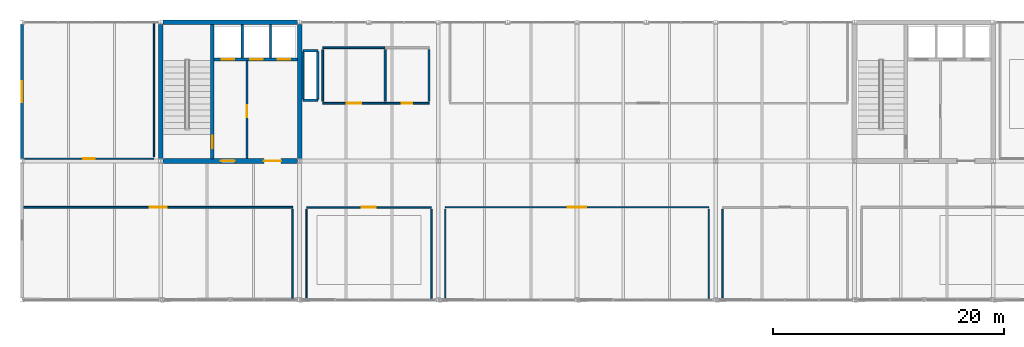
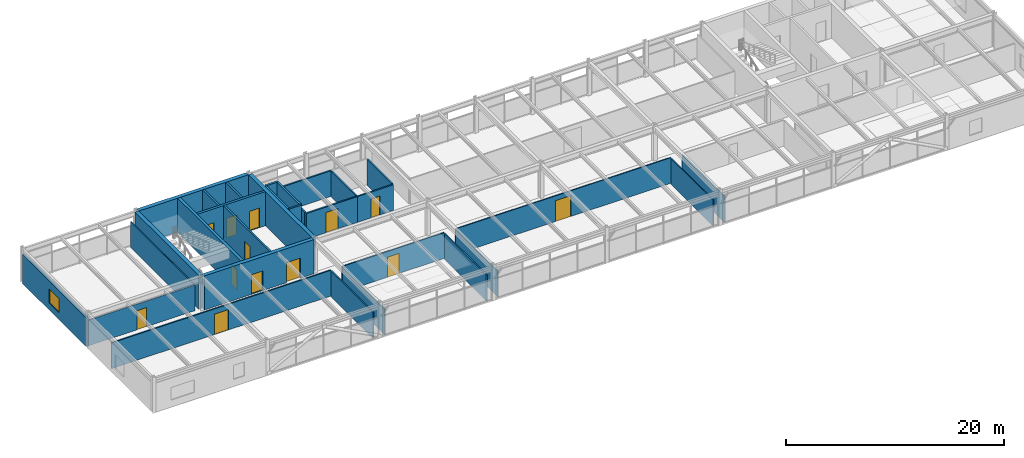
# One storey, part 36 of 40: 31 walls, 13 doors, 1 window, 14 openings.
"""IFC4 building model written with IfcOpenShell, lengths in metres."""

from ifc_helpers import new_model, si_unit, direction, frame, frame_2d, origin, place, context, subcontext, project, spatial, rectangle, extrude, material, layer, layer_set, type_object, element, fill, save


model = new_model("IFC4")

# Units and contexts
model_context = context("Model", 3, precision=1e-05, world=origin(), true_north=direction((0.0, 1.0)))
body_context = subcontext(model_context, "Body", "Model", "MODEL_VIEW")
ifc_project = project(units=[si_unit("LENGTHUNIT", "METRE"), si_unit("AREAUNIT", "SQUARE_METRE"), si_unit("VOLUMEUNIT", "CUBIC_METRE"), si_unit("PLANEANGLEUNIT", "RADIAN"), si_unit("MASSUNIT", "GRAM", prefix="KILO")], contexts=[model_context])

# Site, building, storey
site_placement = place(None, origin())
site = spatial("IfcSite", under=ifc_project, at=site_placement, CompositionType="ELEMENT")
building_placement = place(site_placement, origin())
building = spatial("IfcBuilding", under=site, at=building_placement, Name="Girod Span Mobility Hub", CompositionType="ELEMENT")
storey_placement = place(building_placement, frame((0.0, 0.0, 53.60009765625)))
storey = spatial("IfcBuildingStorey", under=building, at=storey_placement, Name="L13", CompositionType="ELEMENT", Elevation=53.60009765625)

# Wall, openings, doors
ifc_material_1 = material(Name="Concrete C40/50", Category="concrete")
ifc_layer_1 = layer(ifc_material_1, 0.39990234375)
ifc_layer_set_1 = layer_set([ifc_layer_1], Name="Concrete C40/50")
wall_type_1 = type_object("IfcWallType", Name="W-CW-400", PredefinedType="SHEAR", material=ifc_layer_set_1)
wall_1_placement = place(storey_placement, frame((48.194091796875, 57.0, 0.0), z_axis=(0.0, 0.0, 1.0), x_axis=(1.0, 0.0, 0.0)))
wall_1 = element("IfcWall", 1, at=wall_1_placement, inside=storey, type_object=wall_type_1, Name="Core C1 Shear Wall S L13", PredefinedType="SHEAR", context=body_context, shape_type="SweptSolid", body=[
    extrude(rectangle(XDim=11.61181640625, YDim=0.39990234375, at=frame_2d((5.805908203125, 0.0))), origin(), (0.0, 0.0, 1.0), 3.81787109375),
])
opening_1_placement = place(wall_1_placement, frame((5.006103515625, 0.0, 0.0)))
opening_1 = element("IfcOpeningElement", 2, at=opening_1_placement, cuts=wall_1, Name="Opening D-FL-C1-L13", PredefinedType="OPENING", context=body_context, shape_type="SweptSolid", body=[
    extrude(rectangle(XDim=1.199951171875, YDim=2.199951171875, at=frame_2d((0.60009765625, 1.10009765625))), frame((0.0, 0.21484375, 0.0), z_axis=(0.0, -1.0, 0.0), x_axis=(1.0, 0.0, 0.0)), (0.0, 0.0, 1.0), 0.429931640625),
])
opening_2_placement = place(wall_1_placement, frame((8.7060546875, 0.0, 0.0)))
opening_2 = element("IfcOpeningElement", 3, at=opening_2_placement, cuts=wall_1, Name="Opening D-LB-C1-L13", PredefinedType="OPENING", context=body_context, shape_type="SweptSolid", body=[
    extrude(rectangle(XDim=1.5, YDim=2.25, at=frame_2d((0.75, 1.125))), frame((0.0, 0.21484375, 0.0), z_axis=(0.0, -1.0, 0.0), x_axis=(1.0, 0.0, 0.0)), (0.0, 0.0, 1.0), 0.429931640625),
])
ifc_material_2 = material(Name="Fire-Rated Insulated Hollow Metal Steel", Category="steel")
door_type_1 = type_object("IfcDoorType", Name="DT-FD-03", OperationType="DOUBLE_DOOR_SINGLE_SWING", PredefinedType="DOOR", material=ifc_material_2)
door_1_placement = place(opening_2_placement, origin())
door_1 = element("IfcDoor", 4, at=door_1_placement, inside=storey, type_object=door_type_1, Name="Lift Lobby Entry Door C1 L13", OperationType="DOUBLE_DOOR_SINGLE_SWING", OverallHeight=2.25, OverallWidth=1.5, PredefinedType="DOOR", context=body_context, shape_type="SweptSolid", body=[
    extrude(rectangle(XDim=1.5, YDim=2.25, at=frame_2d((0.75, 1.125))), frame((0.0, 0.02490234375, 0.0), z_axis=(0.0, -1.0, 0.0), x_axis=(1.0, 0.0, 0.0)), (0.0, 0.0, 1.0), 0.050048828125),
])
fill(opening_2, door_1)
ifc_material_3 = material(Name="Fire-Rated Insulated Hollow Metal Steel", Category="steel")
door_type_2 = type_object("IfcDoorType", Name="DT-FD-05", OperationType="NOTDEFINED", PredefinedType="DOOR", material=ifc_material_3)
door_2_placement = place(opening_1_placement, origin())
door_2 = element("IfcDoor", 5, at=door_2_placement, inside=storey, type_object=door_type_2, Name="Firefighting Lobby Entry Door C1 L13", OperationType="SINGLE_SWING_RIGHT", OverallHeight=2.199951171875, OverallWidth=1.199951171875, PredefinedType="DOOR", context=body_context, shape_type="SweptSolid", body=[
    extrude(rectangle(XDim=1.199951171875, YDim=2.199951171875, at=frame_2d((0.60009765625, 1.10009765625))), frame((0.0, 0.02490234375, 0.0), z_axis=(0.0, -1.0, 0.0), x_axis=(1.0, 0.0, 0.0)), (0.0, 0.0, 1.0), 0.050048828125),
])
fill(opening_1, door_2)

# Walls
wall_2_placement = place(storey_placement, frame((48.181396484375, 69.0, 0.0), z_axis=(0.0, 0.0, 1.0), x_axis=(1.0, 0.0, 0.0)))
element("IfcWall", 6, at=wall_2_placement, inside=storey, type_object=wall_type_1, Name="Core C1 Shear Wall N L13", PredefinedType="SHEAR", context=body_context, shape_type="SweptSolid", body=[
    extrude(rectangle(XDim=11.63720703125, YDim=0.39990234375, at=frame_2d((5.818603515625, 0.0))), origin(), (0.0, 0.0, 1.0), 3.81787109375),
])
for number, where, z_axis, x_axis, name in (
    (7, (48.0, 57.1845703125, 0.0), (0.0, 0.0, 1.0), (0.0, 1.0, 0.0), "Core C1 Shear Wall W L13"),
    (8, (60.0, 57.1845703125, 0.0), (0.0, 0.0, 1.0), (0.0, 1.0, 0.0), "Core C1 Shear Wall E L13"),
):
    element("IfcWall", number, at=place(storey_placement, frame(where, z_axis=z_axis, x_axis=x_axis)), inside=storey, type_object=wall_type_1, Name=name, PredefinedType="SHEAR", context=body_context, shape_type="SweptSolid", body=[
        extrude(rectangle(XDim=11.640380859375, YDim=0.39990234375, at=frame_2d((5.8203125, 0.0))), origin(), (0.0, 0.0, 1.0), 3.81787109375),
    ])

# Wall, opening, window
ifc_material_4 = material(Name="Precast Architectural Concrete C40/50", Category="concrete")
ifc_layer_2 = layer(ifc_material_4, 0.27001953125)
ifc_layer_set_2 = layer_set([ifc_layer_2], Name="Precast Architectural Concrete C40/50")
wall_type_2 = type_object("IfcWallType", Name="W-EXT-270", PredefinedType="SOLIDWALL", material=ifc_layer_set_2)
wall_3_placement = place(storey_placement, frame((36.0, 57.176025390625, 0.0), z_axis=(0.0, 0.0, 1.0), x_axis=(0.0, 1.0, 0.0)))
wall_3 = element("IfcWall", 9, at=wall_3_placement, inside=storey, type_object=wall_type_2, Name="End Facade Insulated Wall W-E L13", PredefinedType="SOLIDWALL", context=body_context, shape_type="SweptSolid", body=[
    extrude(rectangle(XDim=11.64794921875, YDim=0.27001953125, at=frame_2d((5.823974609375, 0.0))), origin(), (0.0, 0.0, 1.0), 3.27099609375),
])
opening_3_placement = place(wall_3_placement, frame((4.9140625, 0.0, 0.780029296875)))
opening_3 = element("IfcOpeningElement", 10, at=opening_3_placement, cuts=wall_3, Name="Opening W-L13-W4", PredefinedType="OPENING", context=body_context, shape_type="SweptSolid", body=[
    extrude(rectangle(XDim=1.820068359375, YDim=1.580078125, at=frame_2d((0.91015625, 0.7900390625))), frame((0.0, 0.14990234375, 0.0), z_axis=(0.0, -1.0, 0.0), x_axis=(1.0, 0.0, 0.0)), (0.0, 0.0, 1.0), 0.300048828125),
])
ifc_material_5 = material(Name="Double Low-E Insulated Glazing", Category="glass")
window_type = type_object("IfcWindowType", Name="WN-25", PartitioningType="DOUBLE_PANEL_VERTICAL", PredefinedType="WINDOW", material=ifc_material_5)
window_placement = place(opening_3_placement, origin())
window = element("IfcWindow", 11, at=window_placement, inside=storey, type_object=window_type, Name="End Office Window WN-25", OverallHeight=1.580078125, OverallWidth=1.820068359375, PartitioningType="DOUBLE_PANEL_VERTICAL", PredefinedType="WINDOW", context=body_context, shape_type="SweptSolid", body=[
    extrude(rectangle(XDim=1.820068359375, YDim=1.580078125, at=frame_2d((0.91015625, 0.7900390625))), frame((0.0, 0.030029296875, 0.0), z_axis=(0.0, -1.0, 0.0), x_axis=(1.0, 0.0, 0.0)), (0.0, 0.0, 1.0), 0.06005859375),
])
fill(opening_3, window)

# Wall, opening, door
ifc_material_6 = material(Name="Concrete C40/50", Category="concrete")
ifc_layer_3 = layer(ifc_material_6, 0.18994140625)
ifc_layer_set_3 = layer_set([ifc_layer_3], Name="Concrete C40/50")
wall_type_3 = type_object("IfcWallType", Name="W-FL-190", PredefinedType="SOLIDWALL", material=ifc_layer_set_3)
wall_4_placement = place(storey_placement, frame((55.449951171875, 57.199951171875, 0.0), z_axis=(0.0, 0.0, 1.0), x_axis=(0.0, 1.0, 0.0)))
wall_4 = element("IfcWall", 12, at=wall_4_placement, inside=storey, type_object=wall_type_3, Name="Core C1 Firefighting Lobby Wall L13", PredefinedType="SOLIDWALL", context=body_context, shape_type="SweptSolid", body=[
    extrude(rectangle(XDim=8.47998046875, YDim=0.18994140625, at=frame_2d((4.239990234375, 0.0))), origin(), (0.0, 0.0, 1.0), 3.807861328125),
])
opening_4_placement = place(wall_4_placement, frame((3.60009765625, 0.0, 0.0)))
opening_4 = element("IfcOpeningElement", 13, at=opening_4_placement, cuts=wall_4, Name="Opening D-FLX-C1-L13", PredefinedType="OPENING", context=body_context, shape_type="SweptSolid", body=[
    extrude(rectangle(XDim=1.0400390625, YDim=2.179931640625, at=frame_2d((0.52001953125, 1.08984375))), frame((0.0, 0.10986328125, 0.0), z_axis=(0.0, -1.0, 0.0), x_axis=(1.0, 0.0, 0.0)), (0.0, 0.0, 1.0), 0.219970703125),
])
ifc_material_7 = material(Name="Fire-Rated Insulated Hollow Metal Steel", Category="steel")
door_type_3 = type_object("IfcDoorType", Name="DT-FD-02", OperationType="NOTDEFINED", PredefinedType="DOOR", material=ifc_material_7)
door_3_placement = place(opening_4_placement, origin())
door_3 = element("IfcDoor", 14, at=door_3_placement, inside=storey, type_object=door_type_3, Name="Firefighting Lobby Interconnect Door C1 L13", OperationType="SINGLE_SWING_RIGHT", OverallHeight=2.179931640625, OverallWidth=1.0400390625, PredefinedType="DOOR", context=body_context, shape_type="SweptSolid", body=[
    extrude(rectangle(XDim=1.0400390625, YDim=2.179931640625, at=frame_2d((0.52001953125, 1.08984375))), frame((0.0, 0.02490234375, 0.0), z_axis=(0.0, -1.0, 0.0), x_axis=(1.0, 0.0, 0.0)), (0.0, 0.0, 1.0), 0.050048828125),
])
fill(opening_4, door_3)

ifc_material_8 = material(Name="Gypsum Acoustic Operable Panel on Galvanised Steel Framing", Category="steel")
ifc_layer_4 = layer(ifc_material_8, 0.10791015625)
ifc_layer_set_4 = layer_set([ifc_layer_4], Name="Gypsum Acoustic Operable Panel on Galvanised Steel Framing")
wall_type_4 = type_object("IfcWallType", Name="W-MOV-108", PredefinedType="MOVABLE", material=ifc_layer_set_4)
wall_5_placement = place(storey_placement, frame((72.60009765625, 53.0, 0.0), z_axis=(0.0, 0.0, 1.0), x_axis=(1.0, 0.0, 0.0)))
wall_5 = element("IfcWall", 15, at=wall_5_placement, inside=storey, type_object=wall_type_4, Name="Boardroom Central L13 Partition N", PredefinedType="MOVABLE", context=body_context, shape_type="SweptSolid", body=[
    extrude(rectangle(XDim=22.7998046875, YDim=0.10791015625, at=frame_2d((11.39990234375, 0.0))), origin(), (0.0, 0.0, 1.0), 2.8798828125),
])
opening_5_placement = place(wall_5_placement, frame((10.594970703125, 0.0, 0.0)))
opening_5 = element("IfcOpeningElement", 16, at=opening_5_placement, cuts=wall_5, Name="Opening D-L13-BRD-MC", PredefinedType="OPENING", context=body_context, shape_type="SweptSolid", body=[
    extrude(rectangle(XDim=1.610107421875, YDim=2.330078125, at=frame_2d((0.80517578125, 1.1650390625))), frame((0.0, 0.06884765625, 0.0), z_axis=(0.0, -1.0, 0.0), x_axis=(1.0, 0.0, 0.0)), (0.0, 0.0, 1.0), 0.137939453125),
])
ifc_material_9 = material(Name="Solid-Core Architectural Timber", Category="wood")
door_type_4 = type_object("IfcDoorType", Name="DT-NR-15", OperationType="DOUBLE_DOOR_SINGLE_SWING", PredefinedType="DOOR", material=ifc_material_9)
door_4_placement = place(opening_5_placement, origin())
door_4 = element("IfcDoor", 17, at=door_4_placement, inside=storey, type_object=door_type_4, Name="Boardroom Central L13 Door", OperationType="DOUBLE_DOOR_SINGLE_SWING", OverallHeight=2.330078125, OverallWidth=1.610107421875, PredefinedType="DOOR", context=body_context, shape_type="SweptSolid", body=[
    extrude(rectangle(XDim=1.610107421875, YDim=2.330078125, at=frame_2d((0.80517578125, 1.1650390625))), frame((0.0, 0.02490234375, 0.0), z_axis=(0.0, -1.0, 0.0), x_axis=(1.0, 0.0, 0.0)), (0.0, 0.0, 1.0), 0.050048828125),
])
fill(opening_5, door_4)

# Walls
for number, where, z_axis, x_axis, name in (
    (18, (72.60009765625, 45.139892578125, 0.0), (0.0, 0.0, 1.0), (0.0, 1.0, 0.0), "Boardroom Central L13 Partition W"),
    (19, (95.39990234375, 45.139892578125, 0.0), (0.0, 0.0, 1.0), (0.0, 1.0, 0.0), "Boardroom Central L13 Partition E"),
):
    element("IfcWall", number, at=place(storey_placement, frame(where, z_axis=z_axis, x_axis=x_axis)), inside=storey, type_object=wall_type_4, Name=name, PredefinedType="MOVABLE", context=body_context, shape_type="SweptSolid", body=[
        extrude(rectangle(XDim=7.7001953125, YDim=0.10791015625, at=frame_2d((3.85009765625, 0.0))), origin(), (0.0, 0.0, 1.0), 2.8798828125),
    ])

# Wall, opening, door
ifc_material_10 = material(Name="Fire-Rated Gypsum Board on Metal Studs", Category="gypsum")
ifc_layer_5 = layer(ifc_material_10, 0.155029296875)
ifc_layer_set_5 = layer_set([ifc_layer_5], Name="Fire-Rated Gypsum Board on Metal Studs")
wall_type_5 = type_object("IfcWallType", Name="W-PLB-155", PredefinedType="PLUMBINGWALL", material=ifc_layer_set_5)
wall_6_placement = place(storey_placement, frame((62.0, 62.0, 0.0), z_axis=(0.0, 0.0, 1.0), x_axis=(1.0, 0.0, 0.0)))
wall_6 = element("IfcWall", 20, at=wall_6_placement, inside=storey, type_object=wall_type_5, Name="Restroom L13 Partition S", PredefinedType="PLUMBINGWALL", context=body_context, shape_type="SweptSolid", body=[
    extrude(rectangle(XDim=5.39990234375, YDim=0.155029296875, at=frame_2d((2.699951171875, 0.0))), origin(), (0.0, 0.0, 1.0), 2.8798828125),
])
opening_6_placement = place(wall_6_placement, frame((2.06494140625, 0.0, 0.0)))
opening_6 = element("IfcOpeningElement", 21, at=opening_6_placement, cuts=wall_6, Name="Opening D-L13-WC-MAIN", PredefinedType="OPENING", context=body_context, shape_type="SweptSolid", body=[
    extrude(rectangle(XDim=1.27001953125, YDim=2.27001953125, at=frame_2d((0.635009765625, 1.135009765625))), frame((0.0, 0.092529296875, 0.0), z_axis=(0.0, -1.0, 0.0), x_axis=(1.0, 0.0, 0.0)), (0.0, 0.0, 1.0), 0.18505859375),
])
ifc_material_11 = material(Name="Solid-Core Architectural Timber", Category="wood")
door_type_5 = type_object("IfcDoorType", Name="DT-NR-09", OperationType="NOTDEFINED", PredefinedType="DOOR", material=ifc_material_11)
door_5_placement = place(opening_6_placement, origin())
door_5 = element("IfcDoor", 22, at=door_5_placement, inside=storey, type_object=door_type_5, Name="Restroom L13 Door", OperationType="SINGLE_SWING_LEFT", OverallHeight=2.27001953125, OverallWidth=1.27001953125, PredefinedType="DOOR", context=body_context, shape_type="SweptSolid", body=[
    extrude(rectangle(XDim=1.27001953125, YDim=2.27001953125, at=frame_2d((0.635009765625, 1.135009765625))), frame((0.0, 0.02490234375, 0.0), z_axis=(0.0, -1.0, 0.0), x_axis=(1.0, 0.0, 0.0)), (0.0, 0.0, 1.0), 0.050048828125),
])
fill(opening_6, door_5)

# Walls
wall_7_placement = place(storey_placement, frame((62.0, 66.800048828125, 0.0), z_axis=(0.0, 0.0, 1.0), x_axis=(1.0, 0.0, 0.0)))
element("IfcWall", 23, at=wall_7_placement, inside=storey, type_object=wall_type_5, Name="Restroom L13 Partition N", PredefinedType="PLUMBINGWALL", context=body_context, shape_type="SweptSolid", body=[
    extrude(rectangle(XDim=5.39990234375, YDim=0.155029296875, at=frame_2d((2.699951171875, 0.0))), origin(), (0.0, 0.0, 1.0), 2.8798828125),
])
for number, where, z_axis, x_axis, name in (
    (24, (62.0, 62.159912109375, 0.0), (0.0, 0.0, 1.0), (0.0, 1.0, 0.0), "Restroom L13 Partition W"),
    (25, (67.39990234375, 62.159912109375, 0.0), (0.0, 0.0, 1.0), (0.0, 1.0, 0.0), "Restroom L13 Partition E"),
):
    element("IfcWall", number, at=place(storey_placement, frame(where, z_axis=z_axis, x_axis=x_axis)), inside=storey, type_object=wall_type_5, Name=name, PredefinedType="PLUMBINGWALL", context=body_context, shape_type="SweptSolid", body=[
        extrude(rectangle(XDim=4.47998046875, YDim=0.155029296875, at=frame_2d((2.239990234375, 0.0))), origin(), (0.0, 0.0, 1.0), 2.8798828125),
    ])

# Wall, opening, door
wall_8_placement = place(storey_placement, frame((67.39990234375, 62.0, 0.0), z_axis=(0.0, 0.0, 1.0), x_axis=(1.0, 0.0, 0.0)))
wall_8 = element("IfcWall", 26, at=wall_8_placement, inside=storey, type_object=wall_type_5, Name="Accessible WC L13 Partition S", PredefinedType="PLUMBINGWALL", context=body_context, shape_type="SweptSolid", body=[
    extrude(rectangle(XDim=3.800048828125, YDim=0.155029296875, at=frame_2d((1.89990234375, 0.0))), origin(), (0.0, 0.0, 1.0), 2.8798828125),
])
opening_7_placement = place(wall_8_placement, frame((1.43994140625, 0.0, 0.0)))
opening_7 = element("IfcOpeningElement", 27, at=opening_7_placement, cuts=wall_8, Name="Opening D-L13-WC-ACC", PredefinedType="OPENING", context=body_context, shape_type="SweptSolid", body=[
    extrude(rectangle(XDim=0.919921875, YDim=2.10009765625, at=frame_2d((0.4599609375, 1.050048828125))), frame((0.0, 0.092529296875, 0.0), z_axis=(0.0, -1.0, 0.0), x_axis=(1.0, 0.0, 0.0)), (0.0, 0.0, 1.0), 0.18505859375),
])
ifc_material_12 = material(Name="Solid-Core Architectural Timber", Category="wood")
door_type_6 = type_object("IfcDoorType", Name="DT-NR-01", OperationType="NOTDEFINED", PredefinedType="DOOR", material=ifc_material_12)
door_6_placement = place(opening_7_placement, origin())
door_6 = element("IfcDoor", 28, at=door_6_placement, inside=storey, type_object=door_type_6, Name="Accessible WC L13 Door", OperationType="SINGLE_SWING_LEFT", OverallHeight=2.10009765625, OverallWidth=0.919921875, PredefinedType="DOOR", context=body_context, shape_type="SweptSolid", body=[
    extrude(rectangle(XDim=0.919921875, YDim=2.10009765625, at=frame_2d((0.4599609375, 1.050048828125))), frame((0.0, 0.02490234375, 0.0), z_axis=(0.0, -1.0, 0.0), x_axis=(1.0, 0.0, 0.0)), (0.0, 0.0, 1.0), 0.050048828125),
])
fill(opening_7, door_6)

# Wall
wall_9_placement = place(storey_placement, frame((71.199951171875, 62.159912109375, 0.0), z_axis=(0.0, 0.0, 1.0), x_axis=(0.0, 1.0, 0.0)))
element("IfcWall", 29, at=wall_9_placement, inside=storey, type_object=wall_type_5, Name="Accessible WC L13 Partition E", PredefinedType="PLUMBINGWALL", context=body_context, shape_type="SweptSolid", body=[
    extrude(rectangle(XDim=4.47998046875, YDim=0.155029296875, at=frame_2d((2.239990234375, 0.0))), origin(), (0.0, 0.0, 1.0), 2.8798828125),
])

# Wall, opening, door
ifc_material_13 = material(Name="Fire-Rated Gypsum Board on Metal Studs", Category="gypsum")
ifc_layer_6 = layer(ifc_material_13, 0.114990234375)
ifc_layer_set_6 = layer_set([ifc_layer_6], Name="Fire-Rated Gypsum Board on Metal Studs")
wall_type_6 = type_object("IfcWallType", Name="W-PT-115", PredefinedType="PARTITIONING", material=ifc_layer_set_6)
wall_10_placement = place(storey_placement, frame((36.139892578125, 57.199951171875, 0.0), z_axis=(0.0, 0.0, 1.0), x_axis=(1.0, 0.0, 0.0)))
wall_10 = element("IfcWall", 30, at=wall_10_placement, inside=storey, type_object=wall_type_6, Name="Planning Studio North West L13 Partition S", PredefinedType="PARTITIONING", context=body_context, shape_type="SweptSolid", body=[
    extrude(rectangle(XDim=11.260009765625, YDim=0.114990234375, at=frame_2d((5.6298828125, 0.0))), origin(), (0.0, 0.0, 1.0), 2.8798828125),
])
opening_8_placement = place(wall_10_placement, frame((5.135009765625, 0.0, 0.0)))
opening_8 = element("IfcOpeningElement", 31, at=opening_8_placement, cuts=wall_10, Name="Opening D-L13-OFF-MNW", PredefinedType="OPENING", context=body_context, shape_type="SweptSolid", body=[
    extrude(rectangle(XDim=0.989990234375, YDim=2.14990234375, at=frame_2d((0.4951171875, 1.074951171875))), frame((0.0, 0.072509765625, 0.0), z_axis=(0.0, -1.0, 0.0), x_axis=(1.0, 0.0, 0.0)), (0.0, 0.0, 1.0), 0.14501953125),
])
ifc_material_14 = material(Name="Solid-Core Architectural Timber", Category="wood")
door_type_7 = type_object("IfcDoorType", Name="DT-NR-03", OperationType="NOTDEFINED", PredefinedType="DOOR", material=ifc_material_14)
door_7_placement = place(opening_8_placement, origin())
door_7 = element("IfcDoor", 32, at=door_7_placement, inside=storey, type_object=door_type_7, Name="Planning Studio North West L13 Door", OperationType="SINGLE_SWING_LEFT", OverallHeight=2.14990234375, OverallWidth=0.989990234375, PredefinedType="DOOR", context=body_context, shape_type="SweptSolid", body=[
    extrude(rectangle(XDim=0.989990234375, YDim=2.14990234375, at=frame_2d((0.4951171875, 1.074951171875))), frame((0.0, 0.02490234375, 0.0), z_axis=(0.0, -1.0, 0.0), x_axis=(1.0, 0.0, 0.0)), (0.0, 0.0, 1.0), 0.050048828125),
])
fill(opening_8, door_7)

# Wall
wall_11_placement = place(storey_placement, frame((47.39990234375, 57.360107421875, 0.0), z_axis=(0.0, 0.0, 1.0), x_axis=(0.0, 1.0, 0.0)))
element("IfcWall", 33, at=wall_11_placement, inside=storey, type_object=wall_type_6, Name="Planning Studio North West L13 Partition E", PredefinedType="PARTITIONING", context=body_context, shape_type="SweptSolid", body=[
    extrude(rectangle(XDim=11.5, YDim=0.114990234375, at=frame_2d((5.75, 0.0))), origin(), (0.0, 0.0, 1.0), 2.8798828125),
])

# Wall, opening, door
ifc_material_15 = material(Name="Fire-Rated Gypsum Board on Metal Studs", Category="gypsum")
ifc_layer_7 = layer(ifc_material_15, 0.125)
ifc_layer_set_7 = layer_set([ifc_layer_7], Name="Fire-Rated Gypsum Board on Metal Studs")
wall_type_7 = type_object("IfcWallType", Name="W-PT-125", PredefinedType="PARTITIONING", material=ifc_layer_set_7)
wall_12_placement = place(storey_placement, frame((60.60009765625, 53.0, 0.0), z_axis=(0.0, 0.0, 1.0), x_axis=(1.0, 0.0, 0.0)))
wall_12 = element("IfcWall", 34, at=wall_12_placement, inside=storey, type_object=wall_type_7, Name="Office Suite Terrace Portal West L13 Partition N", PredefinedType="PARTITIONING", context=body_context, shape_type="SweptSolid", body=[
    extrude(rectangle(XDim=10.7998046875, YDim=0.125, at=frame_2d((5.39990234375, 0.0))), origin(), (0.0, 0.0, 1.0), 2.8798828125),
])
opening_9_placement = place(wall_12_placement, frame((4.794921875, 0.0, 0.0)))
opening_9 = element("IfcOpeningElement", 35, at=opening_9_placement, cuts=wall_12, Name="Opening D-L13-TERR-LGW", PredefinedType="OPENING", context=body_context, shape_type="SweptSolid", body=[
    extrude(rectangle(XDim=1.2099609375, YDim=2.25, at=frame_2d((0.60498046875, 1.125))), frame((0.0, 0.077392578125, 0.0), z_axis=(0.0, -1.0, 0.0), x_axis=(1.0, 0.0, 0.0)), (0.0, 0.0, 1.0), 0.155029296875),
])
ifc_material_16 = material(Name="Solid-Core Architectural Timber", Category="wood")
door_type_8 = type_object("IfcDoorType", Name="DT-NR-08", OperationType="NOTDEFINED", PredefinedType="DOOR", material=ifc_material_16)
door_8_placement = place(opening_9_placement, origin())
door_8 = element("IfcDoor", 36, at=door_8_placement, inside=storey, type_object=door_type_8, Name="Office Suite Terrace Portal West L13 Door", OperationType="SINGLE_SWING_RIGHT", OverallHeight=2.25, OverallWidth=1.2099609375, PredefinedType="DOOR", context=body_context, shape_type="SweptSolid", body=[
    extrude(rectangle(XDim=1.2099609375, YDim=2.25, at=frame_2d((0.60498046875, 1.125))), frame((0.0, 0.02490234375, 0.0), z_axis=(0.0, -1.0, 0.0), x_axis=(1.0, 0.0, 0.0)), (0.0, 0.0, 1.0), 0.050048828125),
])
fill(opening_9, door_8)

# Walls
for number, where, z_axis, x_axis, name in (
    (37, (60.60009765625, 45.139892578125, 0.0), (0.0, 0.0, 1.0), (0.0, 1.0, 0.0), "Office Suite Terrace Portal West L13 Partition W"),
    (38, (71.39990234375, 45.139892578125, 0.0), (0.0, 0.0, 1.0), (0.0, 1.0, 0.0), "Office Suite Terrace Portal West L13 Partition E"),
    (39, (96.60009765625, 45.139892578125, 0.0), (0.0, 0.0, 1.0), (0.0, 1.0, 0.0), "Office Suite Terrace Portal East L13 Partition W"),
):
    element("IfcWall", number, at=place(storey_placement, frame(where, z_axis=z_axis, x_axis=x_axis)), inside=storey, type_object=wall_type_7, Name=name, PredefinedType="PARTITIONING", context=body_context, shape_type="SweptSolid", body=[
        extrude(rectangle(XDim=7.7001953125, YDim=0.125, at=frame_2d((3.85009765625, 0.0))), origin(), (0.0, 0.0, 1.0), 2.8798828125),
    ])

# Wall, opening, door
ifc_material_17 = material(Name="Fire-Rated Gypsum Board on Metal Studs", Category="gypsum")
ifc_layer_8 = layer(ifc_material_17, 0.139892578125)
ifc_layer_set_8 = layer_set([ifc_layer_8], Name="Fire-Rated Gypsum Board on Metal Studs")
wall_type_8 = type_object("IfcWallType", Name="W-PT-140", PredefinedType="PARTITIONING", material=ifc_layer_set_8)
wall_13_placement = place(storey_placement, frame((36.139892578125, 53.0, 0.0), z_axis=(0.0, 0.0, 1.0), x_axis=(1.0, 0.0, 0.0)))
wall_13 = element("IfcWall", 40, at=wall_13_placement, inside=storey, type_object=wall_type_8, Name="Office Suite West L13 Partition N", PredefinedType="PARTITIONING", context=body_context, shape_type="SweptSolid", body=[
    extrude(rectangle(XDim=23.260009765625, YDim=0.139892578125, at=frame_2d((11.6298828125, 0.0))), origin(), (0.0, 0.0, 1.0), 2.8798828125),
])
opening_10_placement = place(wall_13_placement, frame((10.885009765625, 0.0, 0.0)))
opening_10 = element("IfcOpeningElement", 41, at=opening_10_placement, cuts=wall_13, Name="Opening D-L13-OFF-MW", PredefinedType="OPENING", context=body_context, shape_type="SweptSolid", body=[
    extrude(rectangle(XDim=1.489990234375, YDim=2.280029296875, at=frame_2d((0.7451171875, 1.14013671875))), frame((0.0, 0.0849609375, 0.0), z_axis=(0.0, -1.0, 0.0), x_axis=(1.0, 0.0, 0.0)), (0.0, 0.0, 1.0), 0.169921875),
])
ifc_material_18 = material(Name="Solid-Core Architectural Timber", Category="wood")
door_type_9 = type_object("IfcDoorType", Name="DT-NR-13", OperationType="DOUBLE_DOOR_SINGLE_SWING", PredefinedType="DOOR", material=ifc_material_18)
door_9_placement = place(opening_10_placement, origin())
door_9 = element("IfcDoor", 42, at=door_9_placement, inside=storey, type_object=door_type_9, Name="Office Suite West L13 Door", OperationType="DOUBLE_DOOR_SINGLE_SWING", OverallHeight=2.280029296875, OverallWidth=1.489990234375, PredefinedType="DOOR", context=body_context, shape_type="SweptSolid", body=[
    extrude(rectangle(XDim=1.489990234375, YDim=2.280029296875, at=frame_2d((0.7451171875, 1.14013671875))), frame((0.0, 0.02490234375, 0.0), z_axis=(0.0, -1.0, 0.0), x_axis=(1.0, 0.0, 0.0)), (0.0, 0.0, 1.0), 0.050048828125),
])
fill(opening_10, door_9)

# Walls
wall_14_placement = place(storey_placement, frame((59.39990234375, 45.139892578125, 0.0), z_axis=(0.0, 0.0, 1.0), x_axis=(0.0, 1.0, 0.0)))
element("IfcWall", 43, at=wall_14_placement, inside=storey, type_object=wall_type_8, Name="Office Suite West L13 Partition E", PredefinedType="PARTITIONING", context=body_context, shape_type="SweptSolid", body=[
    extrude(rectangle(XDim=7.7001953125, YDim=0.139892578125, at=frame_2d((3.85009765625, 0.0))), origin(), (0.0, 0.0, 1.0), 2.8798828125),
])
ifc_material_19 = material(Name="Concrete C40/50", Category="concrete")
ifc_layer_9 = layer(ifc_material_19, 0.199951171875)
ifc_layer_set_9 = layer_set([ifc_layer_9], Name="Concrete C40/50")
wall_type_9 = type_object("IfcWallType", Name="W-SH-200", PredefinedType="SOLIDWALL", material=ifc_layer_set_9)
for number, where, z_axis, x_axis, name in (
    (44, (60.297119140625, 62.25, 0.0), (0.0, 0.0, 1.0), (1.0, 0.0, 0.0), "Sanitary Wet Riser Shaft Wall S L13"),
    (45, (60.297119140625, 66.550048828125, 0.0), (0.0, 0.0, 1.0), (1.0, 0.0, 0.0), "Sanitary Wet Riser Shaft Wall N L13"),
):
    element("IfcWall", number, at=place(storey_placement, frame(where, z_axis=z_axis, x_axis=x_axis)), inside=storey, type_object=wall_type_9, Name=name, PredefinedType="SOLIDWALL", context=body_context, shape_type="SweptSolid", body=[
        extrude(rectangle(XDim=1.282958984375, YDim=0.199951171875, at=frame_2d((0.6416015625, 0.0))), origin(), (0.0, 0.0, 1.0), 3.81787109375),
    ])
for number, where, z_axis, x_axis, name in (
    (46, (60.297119140625, 62.330078125, 0.0), (0.0, 0.0, 1.0), (0.0, 1.0, 0.0), "Sanitary Wet Riser Shaft Wall W L13"),
    (47, (61.580078125, 62.330078125, 0.0), (0.0, 0.0, 1.0), (0.0, 1.0, 0.0), "Sanitary Wet Riser Shaft Wall E L13"),
):
    element("IfcWall", number, at=place(storey_placement, frame(where, z_axis=z_axis, x_axis=x_axis)), inside=storey, type_object=wall_type_9, Name=name, PredefinedType="SOLIDWALL", context=body_context, shape_type="SweptSolid", body=[
        extrude(rectangle(XDim=4.139892578125, YDim=0.199951171875, at=frame_2d((2.06982421875, 0.0))), origin(), (0.0, 0.0, 1.0), 3.81787109375),
    ])
for number, where, z_axis, x_axis, name in (
    (48, (55.050048828125, 65.919921875, 0.0), (0.0, 0.0, 1.0), (0.0, 1.0, 0.0), "Core C1 Shaft Divider 1 L13"),
    (49, (57.47998046875, 65.919921875, 0.0), (0.0, 0.0, 1.0), (0.0, 1.0, 0.0), "Core C1 Shaft Divider 2 L13"),
):
    element("IfcWall", number, at=place(storey_placement, frame(where, z_axis=z_axis, x_axis=x_axis)), inside=storey, type_object=wall_type_9, Name=name, PredefinedType="SOLIDWALL", context=body_context, shape_type="SweptSolid", body=[
        extrude(rectangle(XDim=2.880126953125, YDim=0.199951171875, at=frame_2d((1.43994140625, 0.0))), origin(), (0.0, 0.0, 1.0), 3.807861328125),
    ])

# Wall, openings, doors
ifc_material_20 = material(Name="Concrete C40/50", Category="concrete")
ifc_layer_10 = layer(ifc_material_20, 0.25)
ifc_layer_set_10 = layer_set([ifc_layer_10], Name="Concrete C40/50")
wall_type_10 = type_object("IfcWallType", Name="W-SH-250", PredefinedType="SOLIDWALL", material=ifc_layer_set_10)
wall_15_placement = place(storey_placement, frame((52.596923828125, 65.800048828125, 0.0), z_axis=(0.0, 0.0, 1.0), x_axis=(1.0, 0.0, 0.0)))
wall_15 = element("IfcWall", 50, at=wall_15_placement, inside=storey, type_object=wall_type_10, Name="Core C1 Hoistway Front Wall L13", PredefinedType="SOLIDWALL", context=body_context, shape_type="SweptSolid", body=[
    extrude(rectangle(XDim=7.2060546875, YDim=0.25, at=frame_2d((3.60302734375, 0.0))), origin(), (0.0, 0.0, 1.0), 3.81787109375),
])
opening_11_placement = place(wall_15_placement, frame((0.653076171875, 0.0, 0.0)))
opening_11 = element("IfcOpeningElement", 51, at=opening_11_placement, cuts=wall_15, Name="Opening LD-FL-1-L13", PredefinedType="OPENING", context=body_context, shape_type="SweptSolid", body=[
    extrude(rectangle(XDim=1.10009765625, YDim=2.239990234375, at=frame_2d((0.550048828125, 1.1201171875))), frame((0.0, 0.139892578125, 0.0), z_axis=(0.0, -1.0, 0.0), x_axis=(1.0, 0.0, 0.0)), (0.0, 0.0, 1.0), 0.280029296875),
])
opening_12_placement = place(wall_15_placement, frame((3.153076171875, 0.0, 0.0)))
opening_12 = element("IfcOpeningElement", 52, at=opening_12_placement, cuts=wall_15, Name="Opening LD-LP-1-L13", PredefinedType="OPENING", context=body_context, shape_type="SweptSolid", body=[
    extrude(rectangle(XDim=1.050048828125, YDim=2.199951171875, at=frame_2d((0.52490234375, 1.10009765625))), frame((0.0, 0.139892578125, 0.0), z_axis=(0.0, -1.0, 0.0), x_axis=(1.0, 0.0, 0.0)), (0.0, 0.0, 1.0), 0.280029296875),
])
opening_13_placement = place(wall_15_placement, frame((5.528076171875, 0.0, 0.0)))
opening_13 = element("IfcOpeningElement", 53, at=opening_13_placement, cuts=wall_15, Name="Opening LD-LP-2-L13", PredefinedType="OPENING", context=body_context, shape_type="SweptSolid", body=[
    extrude(rectangle(XDim=1.050048828125, YDim=2.199951171875, at=frame_2d((0.52490234375, 1.10009765625))), frame((0.0, 0.139892578125, 0.0), z_axis=(0.0, -1.0, 0.0), x_axis=(1.0, 0.0, 0.0)), (0.0, 0.0, 1.0), 0.280029296875),
])
ifc_material_21 = material(Name="Brushed Stainless Steel Grade 304", Category="steel")
door_type_10 = type_object("IfcDoorType", Name="LD-FL-110", OperationType="SLIDING_TO_LEFT", PredefinedType="USERDEFINED", material=ifc_material_21)
door_10_placement = place(opening_11_placement, origin())
door_10 = element("IfcDoor", 54, at=door_10_placement, inside=storey, type_object=door_type_10, Name="Lift FL-1 Sliding Landing Door L13", ObjectType="LANDING DOOR", OperationType="SLIDING_TO_LEFT", OverallHeight=2.239990234375, OverallWidth=1.10009765625, PredefinedType="USERDEFINED", context=body_context, shape_type="SweptSolid", body=[
    extrude(rectangle(XDim=1.10009765625, YDim=2.239990234375, at=frame_2d((0.550048828125, 1.1201171875))), frame((0.0, 0.02490234375, 0.0), z_axis=(0.0, -1.0, 0.0), x_axis=(1.0, 0.0, 0.0)), (0.0, 0.0, 1.0), 0.050048828125),
])
fill(opening_11, door_10)
ifc_material_22 = material(Name="Brushed Stainless Steel Grade 304", Category="steel")
door_type_11 = type_object("IfcDoorType", Name="LD-LP-105", OperationType="SLIDING_TO_LEFT", PredefinedType="USERDEFINED", material=ifc_material_22)
door_11_placement = place(opening_12_placement, origin())
door_11 = element("IfcDoor", 55, at=door_11_placement, inside=storey, type_object=door_type_11, Name="Lift LP-1 Sliding Landing Door L13", ObjectType="LANDING DOOR", OperationType="SLIDING_TO_LEFT", OverallHeight=2.199951171875, OverallWidth=1.050048828125, PredefinedType="USERDEFINED", context=body_context, shape_type="SweptSolid", body=[
    extrude(rectangle(XDim=1.050048828125, YDim=2.199951171875, at=frame_2d((0.52490234375, 1.10009765625))), frame((0.0, 0.02490234375, 0.0), z_axis=(0.0, -1.0, 0.0), x_axis=(1.0, 0.0, 0.0)), (0.0, 0.0, 1.0), 0.050048828125),
])
fill(opening_12, door_11)
door_12_placement = place(opening_13_placement, origin())
door_12 = element("IfcDoor", 56, at=door_12_placement, inside=storey, type_object=door_type_11, Name="Lift LP-2 Sliding Landing Door L13", ObjectType="LANDING DOOR", OperationType="SLIDING_TO_LEFT", OverallHeight=2.199951171875, OverallWidth=1.050048828125, PredefinedType="USERDEFINED", context=body_context, shape_type="SweptSolid", body=[
    extrude(rectangle(XDim=1.050048828125, YDim=2.199951171875, at=frame_2d((0.52490234375, 1.10009765625))), frame((0.0, 0.02490234375, 0.0), z_axis=(0.0, -1.0, 0.0), x_axis=(1.0, 0.0, 0.0)), (0.0, 0.0, 1.0), 0.050048828125),
])
fill(opening_13, door_12)

# Wall, opening, door
ifc_material_23 = material(Name="Concrete C40/50", Category="concrete")
ifc_layer_11 = layer(ifc_material_23, 0.300048828125)
ifc_layer_set_11 = layer_set([ifc_layer_11], Name="Concrete C40/50")
wall_type_11 = type_object("IfcWallType", Name="W-SH-300", PredefinedType="SHEAR", material=ifc_layer_set_11)
wall_16_placement = place(storey_placement, frame((52.449951171875, 57.197021484375, 0.0), z_axis=(0.0, 0.0, 1.0), x_axis=(0.0, 1.0, 0.0)))
wall_16 = element("IfcWall", 57, at=wall_16_placement, inside=storey, type_object=wall_type_11, Name="Core C1 Stairwell Spine Wall L13", PredefinedType="SHEAR", context=body_context, shape_type="SweptSolid", body=[
    extrude(rectangle(XDim=11.60595703125, YDim=0.300048828125, at=frame_2d((5.802978515625, 0.0))), origin(), (0.0, 0.0, 1.0), 3.81787109375),
])
opening_14_placement = place(wall_16_placement, frame((0.89990234375, 0.0, 0.0)))
opening_14 = element("IfcOpeningElement", 58, at=opening_14_placement, cuts=wall_16, Name="Opening D-ST-1-L13", PredefinedType="OPENING", context=body_context, shape_type="SweptSolid", body=[
    extrude(rectangle(XDim=1.10009765625, YDim=2.199951171875, at=frame_2d((0.550048828125, 1.10009765625))), frame((0.0, 0.1650390625, 0.0), z_axis=(0.0, -1.0, 0.0), x_axis=(1.0, 0.0, 0.0)), (0.0, 0.0, 1.0), 0.330078125),
])
ifc_material_24 = material(Name="Fire-Rated Insulated Hollow Metal Steel", Category="steel")
door_type_12 = type_object("IfcDoorType", Name="DT-FD-01", OperationType="NOTDEFINED", PredefinedType="DOOR", material=ifc_material_24)
door_13_placement = place(opening_14_placement, origin())
door_13 = element("IfcDoor", 59, at=door_13_placement, inside=storey, type_object=door_type_12, Name="Stair ST-1 Fire Door L13", OperationType="SINGLE_SWING_LEFT", OverallHeight=2.199951171875, OverallWidth=1.10009765625, PredefinedType="DOOR", context=body_context, shape_type="SweptSolid", body=[
    extrude(rectangle(XDim=1.10009765625, YDim=2.199951171875, at=frame_2d((0.550048828125, 1.10009765625))), frame((0.0, 0.02490234375, 0.0), z_axis=(0.0, -1.0, 0.0), x_axis=(1.0, 0.0, 0.0)), (0.0, 0.0, 1.0), 0.050048828125),
])
fill(opening_14, door_13)

save(model, "model.ifc")
